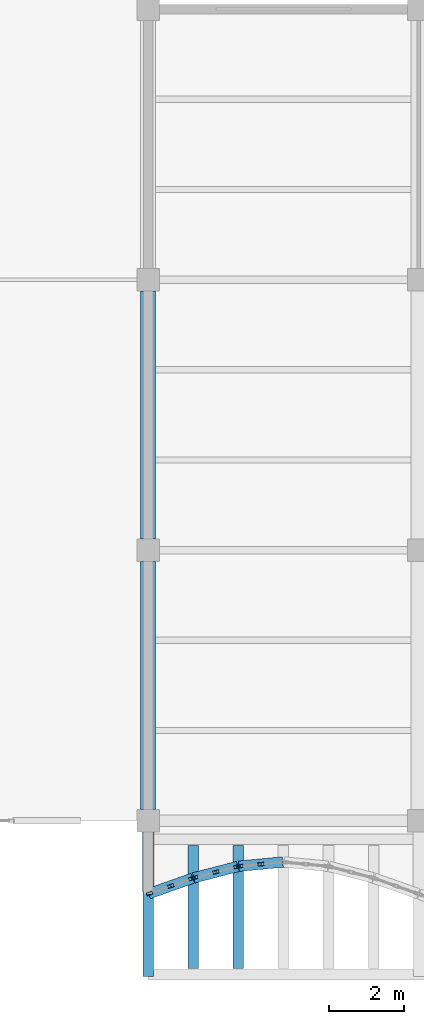
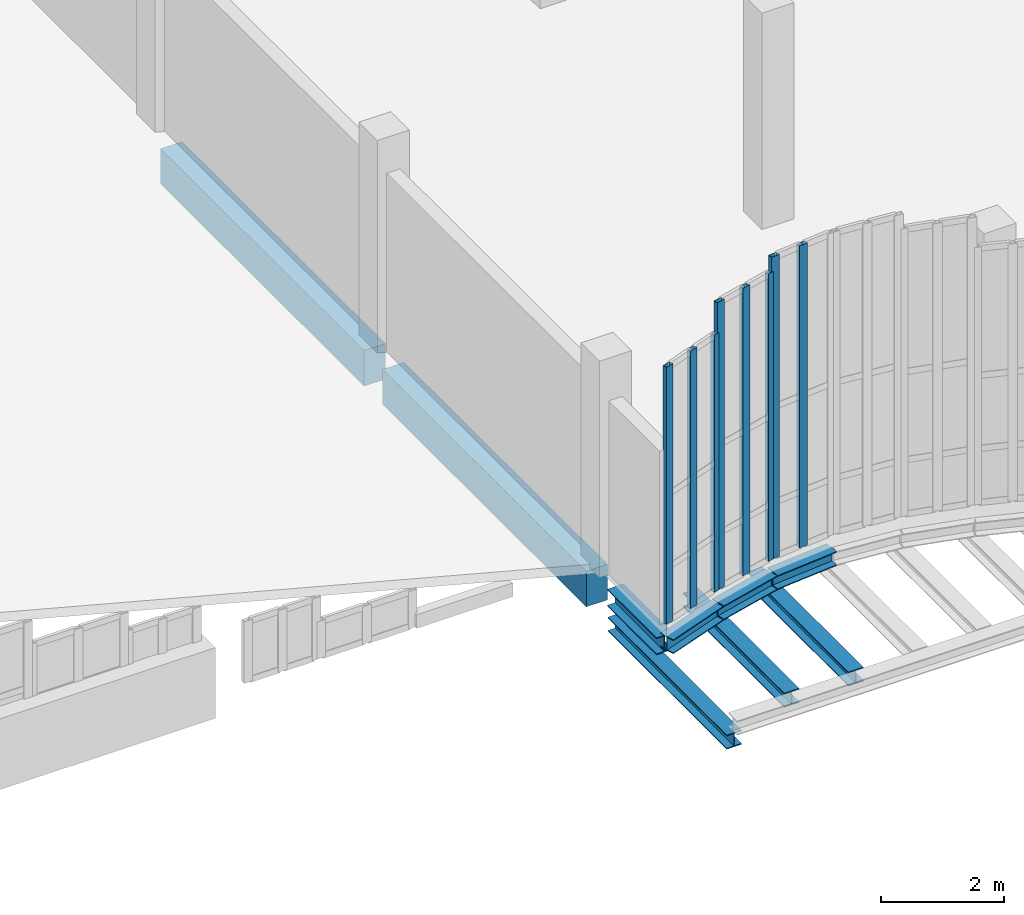
# One storey, part 6 of 76: 9 beams, 8 members, 3 elements without a shape of their own.
"""IFC4 building model written with IfcOpenShell, lengths in metres."""

from ifc_helpers import new_model, si_unit, direction, frame, origin, origin_2d, place, context, subcontext, project, spatial, rectangle, hollow_rectangle, i_section, extrude, material, layer, layer_set, material_profile, profile_set, type_object, element, aggregate, save


model = new_model("IFC4")

# Units and contexts
model_context = context("Model", 3, precision=1e-05, world=origin(), true_north=direction((0.0, 1.0)))
body_context = subcontext(model_context, "Body", "Model", "MODEL_VIEW")
ifc_project = project(units=[si_unit("LENGTHUNIT", "METRE"), si_unit("AREAUNIT", "SQUARE_METRE"), si_unit("VOLUMEUNIT", "CUBIC_METRE"), si_unit("PLANEANGLEUNIT", "RADIAN"), si_unit("MASSUNIT", "GRAM", prefix="KILO"), si_unit("THERMODYNAMICTEMPERATUREUNIT", "KELVIN"), si_unit("POWERUNIT", "WATT")], contexts=[model_context])

# Site, building, storey
site_placement = place(None, origin())
site = spatial("IfcSite", under=ifc_project, at=site_placement, CompositionType="ELEMENT")
building_placement = place(site_placement, origin())
building = spatial("IfcBuilding", under=site, at=building_placement, Name="Kaldorven Railside Theatre", CompositionType="ELEMENT")
storey_placement = place(building_placement, frame((0.0, 0.0, 14.39990234375)))
storey = spatial("IfcBuildingStorey", under=building, at=storey_placement, Name="L03", CompositionType="ELEMENT", Elevation=14.39990234375)

# Beams
ifc_material_1 = material(Name="Steel S355", Category="steel")
ifc_material_profile_1 = material_profile(ifc_material_1, i_section(OverallWidth=0.280029296875, OverallDepth=0.280029296875, WebThickness=0.010498046875, FlangeThickness=0.01806640625, at=origin_2d()), Name="HEB 280")
ifc_profile_set_1 = profile_set([ifc_material_profile_1], Name="Steel S355")
beam_type_1 = type_object("IfcBeamType", Name="BM-HEB280", PredefinedType="SPANDREL", material=ifc_profile_set_1)
beam_1_placement = place(storey_placement, frame((36.800048828125, 15.050048828125, -0.97998046875), z_axis=(0.0, 1.0, 0.0), x_axis=(-1.0, 0.0, 0.0)))
element("IfcBeam", 1, at=beam_1_placement, inside=storey, type_object=beam_type_1, Name="L03 Sinusoidal Lower Cantilever Girder FOB-K027", PredefinedType="SPANDREL", context=body_context, shape_type="SweptSolid", body=[
    extrude(i_section(OverallWidth=0.280029296875, OverallDepth=0.280029296875, WebThickness=0.010498046875, FlangeThickness=0.01806640625, at=origin_2d()), origin(), (0.0, 0.0, 1.0), 3.849853515625),
])
beam_2_placement = place(storey_placement, frame((36.814208984375, 17.2548828125, -0.419921875), z_axis=(0.942605331688, 0.333908952671, 0.0), x_axis=(-0.333908952671, 0.942605331688, 0.0)))
element("IfcBeam", 2, at=beam_2_placement, inside=storey, type_object=beam_type_1, Name="L03 Sinusoidal Flute Edge Spandrel FSB-145", PredefinedType="SPANDREL", context=body_context, shape_type="SweptSolid", body=[
    extrude(i_section(OverallWidth=0.280029296875, OverallDepth=0.280029296875, WebThickness=0.010498046875, FlangeThickness=0.01806640625, at=origin_2d()), origin(), (0.0, 0.0, 1.0), 1.242919921875),
])
beam_3_placement = place(storey_placement, frame((38.014404296875, 17.6787109375, -0.419921875), z_axis=(0.967980555895, 0.25102518481, 0.0), x_axis=(-0.25102518481, 0.967980555895, 0.0)))
element("IfcBeam", 3, at=beam_3_placement, inside=storey, type_object=beam_type_1, Name="L03 Sinusoidal Flute Edge Spandrel FSB-146", PredefinedType="SPANDREL", context=body_context, shape_type="SweptSolid", body=[
    extrude(i_section(OverallWidth=0.280029296875, OverallDepth=0.280029296875, WebThickness=0.010498046875, FlangeThickness=0.01806640625, at=origin_2d()), origin(), (0.0, 0.0, 1.0), 1.2099609375),
])
beam_4_placement = place(storey_placement, frame((38.0, 15.260009765625, -0.699951171875), z_axis=(0.0, 1.0, 0.0), x_axis=(-1.0, 0.0, 0.0)))
element("IfcBeam", 4, at=beam_4_placement, inside=storey, type_object=beam_type_1, Name="L03 Sinusoidal Diaphragm Rib Outrigger FOB-M146", PredefinedType="SPANDREL", context=body_context, shape_type="SweptSolid", body=[
    extrude(i_section(OverallWidth=0.280029296875, OverallDepth=0.280029296875, WebThickness=0.010498046875, FlangeThickness=0.01806640625, at=origin_2d()), origin(), (0.0, 0.0, 1.0), 3.280029296875),
])
beam_5_placement = place(storey_placement, frame((39.21484375, 17.987548828125, -0.419921875), z_axis=(0.99552436473, 0.094505233873, 0.0), x_axis=(-0.094505233873, 0.99552436473, 0.0)))
element("IfcBeam", 5, at=beam_5_placement, inside=storey, type_object=beam_type_1, Name="L03 Sinusoidal Flute Edge Spandrel FSB-147", PredefinedType="SPANDREL", context=body_context, shape_type="SweptSolid", body=[
    extrude(i_section(OverallWidth=0.280029296875, OverallDepth=0.280029296875, WebThickness=0.010498046875, FlangeThickness=0.01806640625, at=origin_2d()), origin(), (0.0, 0.0, 1.0), 1.175537109375),
])
beam_6_placement = place(storey_placement, frame((39.199951171875, 15.260009765625, -0.699951171875), z_axis=(0.0, 1.0, 0.0), x_axis=(-1.0, 0.0, 0.0)))
element("IfcBeam", 6, at=beam_6_placement, inside=storey, type_object=beam_type_1, Name="L03 Sinusoidal Diaphragm Rib Outrigger FOB-M147", PredefinedType="SPANDREL", context=body_context, shape_type="SweptSolid", body=[
    extrude(i_section(OverallWidth=0.280029296875, OverallDepth=0.280029296875, WebThickness=0.010498046875, FlangeThickness=0.01806640625, at=origin_2d()), origin(), (0.0, 0.0, 1.0), 3.280029296875),
])
ifc_material_profile_2 = material_profile(ifc_material_1, i_section(OverallWidth=0.300048828125, OverallDepth=0.340087890625, WebThickness=0.011962890625, FlangeThickness=0.021484375, at=origin_2d()), Name="HEB 340")
ifc_profile_set_2 = profile_set([ifc_material_profile_2], Name="Steel S355")
beam_type_2 = type_object("IfcBeamType", Name="BM-HEB340", PredefinedType="SPANDREL", material=ifc_profile_set_2)
beam_7_placement = place(storey_placement, frame((36.800048828125, 17.31005859375, -0.449951171875), z_axis=(0.0, 1.0, 0.0), x_axis=(-1.0, 0.0, 0.0)))
element("IfcBeam", 7, at=beam_7_placement, inside=storey, type_object=beam_type_2, Name="L03 Sinusoidal Veil Outrigger FOB-3036", PredefinedType="SPANDREL", context=body_context, shape_type="SweptSolid", body=[
    extrude(i_section(OverallWidth=0.300048828125, OverallDepth=0.340087890625, WebThickness=0.011962890625, FlangeThickness=0.021484375, at=origin_2d()), origin(), (0.0, 0.0, 1.0), 1.58984375),
])
ifc_material_2 = material(Name="Concrete C40/50", Category="concrete")
ifc_material_profile_3 = material_profile(ifc_material_2, rectangle(XDim=0.39990234375, YDim=0.699951171875, at=origin_2d()), Name="RC 400x700")
ifc_profile_set_3 = profile_set([ifc_material_profile_3], Name="Concrete C40/50")
beam_type_3 = type_object("IfcBeamType", Name="BM-RC400x700", PredefinedType="BEAM", material=ifc_profile_set_3)
for number, where, z_axis, x_axis, name in (
    (8, (36.800048828125, 19.5, -0.6298828125), (0.0, 1.0, 0.0), (-1.0, 0.0, 0.0), "L03 Girder BGY-L03-036-019-72"),
    (9, (36.800048828125, 26.699951171875, -0.6298828125), (0.0, 1.0, 0.0), (-1.0, 0.0, 0.0), "L03 Girder BGY-L03-036-026-72"),
):
    element("IfcBeam", number, at=place(storey_placement, frame(where, z_axis=z_axis, x_axis=x_axis)), inside=storey, type_object=beam_type_3, Name=name, PredefinedType="BEAM", context=body_context, shape_type="SweptSolid", body=[
        extrude(rectangle(XDim=0.39990234375, YDim=0.699951171875, at=origin_2d()), origin(), (0.0, 0.0, 1.0), 6.60009765625),
    ])

# Curtain wall, members
ifc_material_3 = material(Name="Low-E laminated solar-control glass", Category="glass")
ifc_layer_1 = layer(ifc_material_3, 0.159912109375, Name="Low-E laminated solar-control glass")
ifc_layer_set_1 = layer_set([ifc_layer_1], Name="Low-E laminated solar-control glass")
curtain_wall_type_1 = type_object("IfcCurtainWallType", Name="CWT-08", PredefinedType="USERDEFINED", material=ifc_layer_set_1)
curtain_wall_1_placement = place(storey_placement, origin())
curtain_wall_1 = element("IfcCurtainWall", 10, at=curtain_wall_1_placement, inside=storey, type_object=curtain_wall_type_1, Name="Sinusoidal Fluted Curtain Wall CW-L03-S01", ObjectType="FLUTED GLAZING", PredefinedType="USERDEFINED")
ifc_material_4 = material(Name="Anodised bronze aluminium", Category="aluminium")
ifc_material_profile_4 = material_profile(ifc_material_4, hollow_rectangle(XDim=0.080078125, YDim=0.159912109375, WallThickness=0.00634765625, at=origin_2d()), Name="RHS 160x80x6.3")
ifc_profile_set_4 = profile_set([ifc_material_profile_4], Name="Anodised bronze aluminium")
member_type = type_object("IfcMemberType", Name="CWM-160", PredefinedType="MULLION", material=ifc_profile_set_4)
member_1_placement = place(storey_placement, frame((36.837646484375, 17.263427734375, 0.0), z_axis=(0.0, 0.0, 1.0), x_axis=(-0.33384714225, 0.942627225159, 0.0)))
member_1 = element("IfcMember", 11, at=member_1_placement, type_object=member_type, Name="CW-L03-S01 mullion 1", PredefinedType="MULLION", context=body_context, shape_type="SweptSolid", body=[
    extrude(hollow_rectangle(XDim=0.080078125, YDim=0.159912109375, WallThickness=0.00634765625, at=origin_2d()), origin(), (0.0, 0.0, 1.0), 5.090087890625),
])
member_2_placement = place(storey_placement, frame((37.39990234375, 17.46240234375, 0.0), z_axis=(0.0, 0.0, 1.0), x_axis=(-0.33384714225, 0.942627225159, 0.0)))
member_2 = element("IfcMember", 12, at=member_2_placement, type_object=member_type, Name="CW-L03-S01 mullion 2", PredefinedType="MULLION", context=body_context, shape_type="SweptSolid", body=[
    extrude(hollow_rectangle(XDim=0.080078125, YDim=0.159912109375, WallThickness=0.00634765625, at=origin_2d()), origin(), (0.0, 0.0, 1.0), 5.090087890625),
])
member_3_placement = place(storey_placement, frame((37.96240234375, 17.66162109375, 0.0), z_axis=(0.0, 0.0, 1.0), x_axis=(-0.33384714225, 0.942627225159, 0.0)))
member_3 = element("IfcMember", 13, at=member_3_placement, type_object=member_type, Name="CW-L03-S01 mullion 3", PredefinedType="MULLION", context=body_context, shape_type="SweptSolid", body=[
    extrude(hollow_rectangle(XDim=0.080078125, YDim=0.159912109375, WallThickness=0.00634765625, at=origin_2d()), origin(), (0.0, 0.0, 1.0), 5.090087890625),
])
aggregate(curtain_wall_1, [member_1, member_2, member_3])

ifc_layer_2 = layer(ifc_material_3, 0.159912109375, Name="Low-E laminated solar-control glass")
ifc_layer_set_2 = layer_set([ifc_layer_2], Name="Low-E laminated solar-control glass")
curtain_wall_type_2 = type_object("IfcCurtainWallType", Name="CWT-09", PredefinedType="USERDEFINED", material=ifc_layer_set_2)
curtain_wall_2_placement = place(storey_placement, origin())
curtain_wall_2 = element("IfcCurtainWall", 14, at=curtain_wall_2_placement, inside=storey, type_object=curtain_wall_type_2, Name="Sinusoidal Fluted Curtain Wall CW-L03-S02", ObjectType="FLUTED GLAZING", PredefinedType="USERDEFINED")
member_4_placement = place(storey_placement, frame((38.038818359375, 17.68505859375, 0.0), z_axis=(0.0, 0.0, 1.0), x_axis=(-0.250953760326, 0.967999075505, 0.0)))
member_4 = element("IfcMember", 15, at=member_4_placement, type_object=member_type, Name="CW-L03-S02 mullion 1", PredefinedType="MULLION", context=body_context, shape_type="SweptSolid", body=[
    extrude(hollow_rectangle(XDim=0.080078125, YDim=0.159912109375, WallThickness=0.00634765625, at=origin_2d()), origin(), (0.0, 0.0, 1.0), 5.690185546875),
])
member_5_placement = place(storey_placement, frame((38.60009765625, 17.83056640625, 0.0), z_axis=(0.0, 0.0, 1.0), x_axis=(-0.250953760326, 0.967999075505, 0.0)))
member_5 = element("IfcMember", 16, at=member_5_placement, type_object=member_type, Name="CW-L03-S02 mullion 2", PredefinedType="MULLION", context=body_context, shape_type="SweptSolid", body=[
    extrude(hollow_rectangle(XDim=0.080078125, YDim=0.159912109375, WallThickness=0.00634765625, at=origin_2d()), origin(), (0.0, 0.0, 1.0), 5.690185546875),
])
member_6_placement = place(storey_placement, frame((39.161376953125, 17.97607421875, 0.0), z_axis=(0.0, 0.0, 1.0), x_axis=(-0.250953760326, 0.967999075505, 0.0)))
member_6 = element("IfcMember", 17, at=member_6_placement, type_object=member_type, Name="CW-L03-S02 mullion 3", PredefinedType="MULLION", context=body_context, shape_type="SweptSolid", body=[
    extrude(hollow_rectangle(XDim=0.080078125, YDim=0.159912109375, WallThickness=0.00634765625, at=origin_2d()), origin(), (0.0, 0.0, 1.0), 5.690185546875),
])
aggregate(curtain_wall_2, [member_4, member_5, member_6])

ifc_layer_3 = layer(ifc_material_3, 0.159912109375, Name="Low-E laminated solar-control glass")
ifc_layer_set_3 = layer_set([ifc_layer_3], Name="Low-E laminated solar-control glass")
curtain_wall_type_3 = type_object("IfcCurtainWallType", Name="CWT-10", PredefinedType="USERDEFINED", material=ifc_layer_set_3)
curtain_wall_3_placement = place(storey_placement, origin())
curtain_wall_3 = element("IfcCurtainWall", 18, at=curtain_wall_3_placement, inside=storey, type_object=curtain_wall_type_3, Name="Sinusoidal Fluted Curtain Wall CW-L03-S03", ObjectType="FLUTED GLAZING", PredefinedType="USERDEFINED")
member_7_placement = place(storey_placement, frame((39.23974609375, 17.989990234375, 0.0), z_axis=(0.0, 0.0, 1.0), x_axis=(-0.094491973758, 0.995525623425, 0.0)))
member_7 = element("IfcMember", 19, at=member_7_placement, type_object=member_type, Name="CW-L03-S03 mullion 1", PredefinedType="MULLION", context=body_context, shape_type="SweptSolid", body=[
    extrude(hollow_rectangle(XDim=0.080078125, YDim=0.159912109375, WallThickness=0.00634765625, at=origin_2d()), origin(), (0.0, 0.0, 1.0), 5.97998046875),
])
member_8_placement = place(storey_placement, frame((39.800048828125, 18.04296875, 0.0), z_axis=(0.0, 0.0, 1.0), x_axis=(-0.094491973758, 0.995525623425, 0.0)))
member_8 = element("IfcMember", 20, at=member_8_placement, type_object=member_type, Name="CW-L03-S03 mullion 2", PredefinedType="MULLION", context=body_context, shape_type="SweptSolid", body=[
    extrude(hollow_rectangle(XDim=0.080078125, YDim=0.159912109375, WallThickness=0.00634765625, at=origin_2d()), origin(), (0.0, 0.0, 1.0), 5.97998046875),
])
aggregate(curtain_wall_3, [member_7, member_8])

save(model, "model.ifc")
